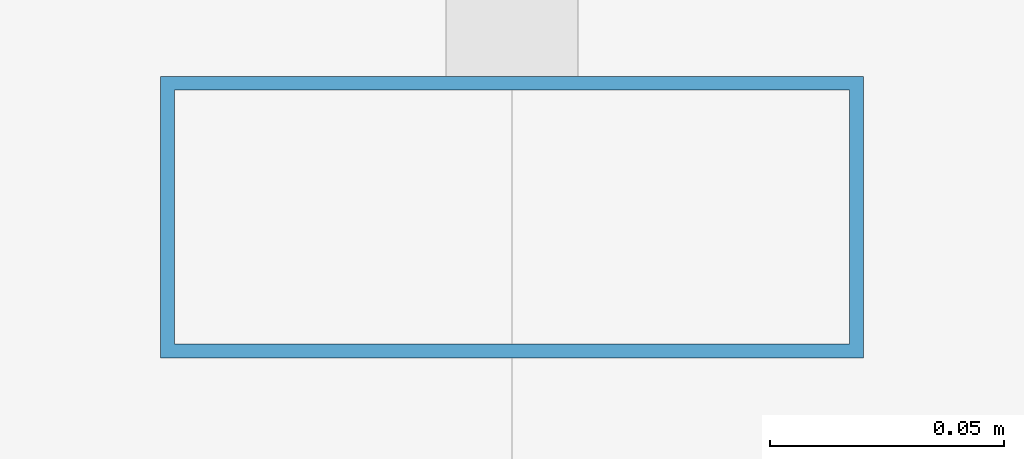
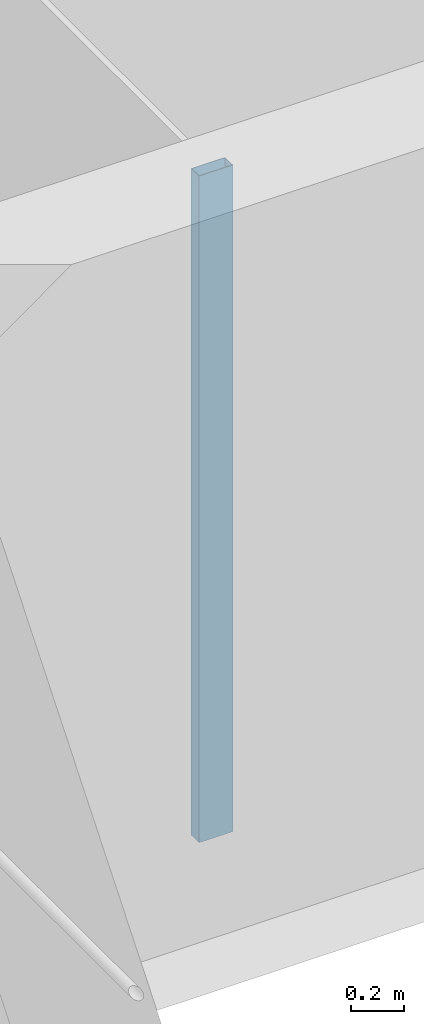
# One storey, part 11 of 30: 1 member, 1 element without a shape of its own.
"""IFC4 building model written with IfcOpenShell, lengths in metres."""

from ifc_helpers import new_model, si_unit, direction, frame, origin, origin_2d, place, context, subcontext, project, spatial, hollow_rectangle, extrude, material, material_profile, profile_set, type_object, element, aggregate, save


model = new_model("IFC4")

# Units and contexts
model_context = context("Model", 3, precision=1e-05, world=origin(), true_north=direction((0.0, 1.0)))
body_context = subcontext(model_context, "Body", "Model", "MODEL_VIEW")
ifc_project = project(units=[si_unit("LENGTHUNIT", "METRE"), si_unit("AREAUNIT", "SQUARE_METRE"), si_unit("VOLUMEUNIT", "CUBIC_METRE"), si_unit("PLANEANGLEUNIT", "RADIAN"), si_unit("MASSUNIT", "GRAM", prefix="KILO")], contexts=[model_context])

# Site, building, storey
site_placement = place(None, origin())
site = spatial("IfcSite", under=ifc_project, at=site_placement, CompositionType="ELEMENT")
building_placement = place(site_placement, origin())
building = spatial("IfcBuilding", under=site, at=building_placement, Name="Altepetl Exchange Towers", CompositionType="ELEMENT")
storey_placement = place(building_placement, frame((0.0, 0.0, 238.800048828125)))
storey = spatial("IfcBuildingStorey", under=building, at=storey_placement, Name="L61", CompositionType="ELEMENT", Elevation=238.800048828125)

# Curtain wall, member
ifc_material_1 = material(Name="Aluminium 6063-T6 glazing", Category="aluminium")
curtain_wall_type = type_object("IfcCurtainWallType", Name="Loggia glazing system", PredefinedType="NOTDEFINED", material=ifc_material_1)
curtain_wall_placement = place(storey_placement, origin())
curtain_wall = element("IfcCurtainWall", 1, at=curtain_wall_placement, inside=storey, type_object=curtain_wall_type, Name="CW1 run", PredefinedType="NOTDEFINED")
ifc_material_2 = material(Name="Aluminium 6063-T6", Category="aluminium")
ifc_material_profile = material_profile(ifc_material_2, hollow_rectangle(XDim=0.06005859375, YDim=0.14990234375, WallThickness=0.0029296875, at=origin_2d()), Name="Mullion 60x150 aluminium")
ifc_profile_set = profile_set([ifc_material_profile], Name="Aluminium 6063-T6")
member_type = type_object("IfcMemberType", Name="Mullion 60x150 aluminium", PredefinedType="MULLION", material=ifc_profile_set)
member_placement = place(storey_placement, frame((42.5, 58.60498046875, 0.0), z_axis=(0.0, 0.0, 1.0), x_axis=(0.0, -1.0, 0.0)))
member = element("IfcMember", 2, at=member_placement, type_object=member_type, Name="MU1 mullion", PredefinedType="MULLION", context=body_context, shape_type="SweptSolid", body=[
    extrude(hollow_rectangle(XDim=0.06005859375, YDim=0.14990234375, WallThickness=0.0029296875, at=origin_2d()), origin(), (0.0, 0.0, 1.0), 3.099853515625),
])
aggregate(curtain_wall, [member])

save(model, "model.ifc")
